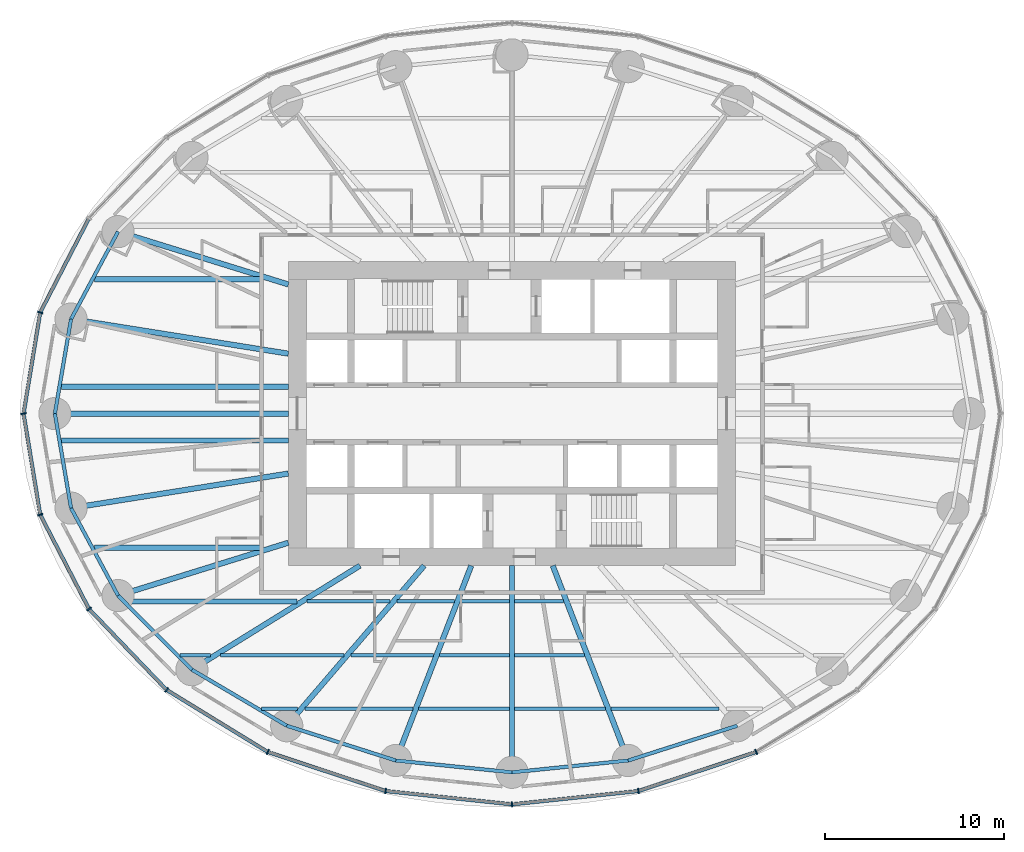
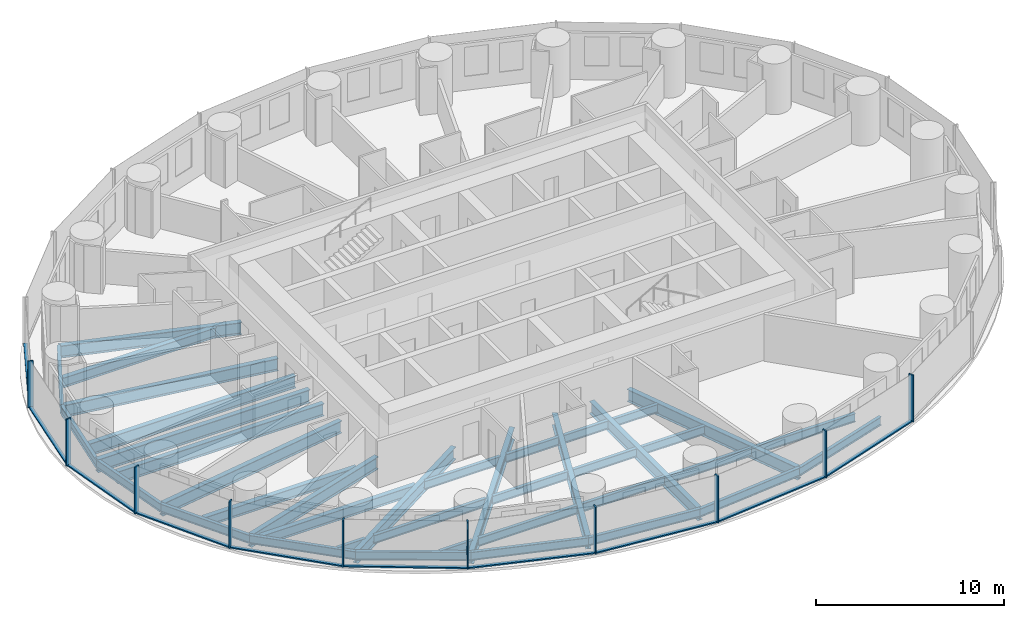
# One storey, part 2 of 13: 39 beams, 20 members, 3 elements without a shape of their own.
"""IFC4 building model written with IfcOpenShell, lengths in metres."""

from ifc_helpers import new_model, si_unit, direction, frame, origin, origin_2d, place, context, subcontext, project, spatial, rectangle, i_section, extrude, material, material_profile, profile_set, type_object, element, aggregate, save


model = new_model("IFC4")

# Units and contexts
model_context = context("Model", 3, precision=1e-05, world=origin(), true_north=direction((0.0, 1.0)))
body_context = subcontext(model_context, "Body", "Model", "MODEL_VIEW")
ifc_project = project(units=[si_unit("LENGTHUNIT", "METRE"), si_unit("AREAUNIT", "SQUARE_METRE"), si_unit("VOLUMEUNIT", "CUBIC_METRE"), si_unit("PLANEANGLEUNIT", "RADIAN"), si_unit("MASSUNIT", "GRAM", prefix="KILO")], contexts=[model_context])

# Site, building, storey
site_placement = place(None, origin())
site = spatial("IfcSite", under=ifc_project, at=site_placement, CompositionType="ELEMENT")
building_placement = place(site_placement, origin())
building = spatial("IfcBuilding", under=site, at=building_placement, Name="Hankou Lantern Tower", CompositionType="ELEMENT")
storey_placement = place(building_placement, frame((0.0, 0.0, 42.60009765625)))
storey = spatial("IfcBuildingStorey", under=building, at=storey_placement, Name="L09", CompositionType="ELEMENT", Elevation=42.60009765625)

# Beams
ifc_material_1 = material(Name="Steel Q355B", Category="steel")
ifc_material_profile_1 = material_profile(ifc_material_1, i_section(OverallWidth=0.199951171875, OverallDepth=0.550048828125, WebThickness=0.010009765625, FlangeThickness=0.01611328125, FilletRadius=0.012939453125, at=origin_2d()), Name="HN550x200x10x16")
ifc_profile_set_1 = profile_set([ifc_material_profile_1], Name="Steel Q355B")
beam_type_1 = type_object("IfcBeamType", Name="EB6 RING BEAM HN550x200x10x16", PredefinedType="SPANDREL", material=ifc_profile_set_1)
beam_1_placement = place(storey_placement, frame((-22.01904296875, 10.170166015625, -0.455078125), z_axis=(-0.473609096023, -0.880735161194, 0.0), x_axis=(0.880735161194, -0.473609096023, 0.0)))
element("IfcBeam", 1, at=beam_1_placement, inside=storey, type_object=beam_type_1, Name="Ring beam R11-R12 L09", PredefinedType="SPANDREL", context=body_context, shape_type="SweptSolid", body=[
    extrude(i_section(OverallWidth=0.199951171875, OverallDepth=0.550048828125, WebThickness=0.010009765625, FlangeThickness=0.01611328125, FilletRadius=0.012939453125, at=origin_2d()), origin(), (0.0, 0.0, 1.0), 5.548828125),
])
for number, where, z_axis, x_axis, name in (
    (2, (-24.64697265625, 5.283203125, -0.455078125), (-0.168489691988, -0.985703415685, 0.0), (0.985703415685, -0.168489691988, 0.0), "Ring beam R12-R13 L09"),
    (3, (-25.550048828125, 0.0, -0.455078125), (0.168489691988, -0.985703415685, 0.0), (0.985703415685, 0.168489691988, 0.0), "Ring beam R13-R14 L09"),
):
    element("IfcBeam", number, at=place(storey_placement, frame(where, z_axis=z_axis, x_axis=x_axis)), inside=storey, type_object=beam_type_1, Name=name, PredefinedType="SPANDREL", context=body_context, shape_type="SweptSolid", body=[
        extrude(i_section(OverallWidth=0.199951171875, OverallDepth=0.550048828125, WebThickness=0.010009765625, FlangeThickness=0.01611328125, FilletRadius=0.012939453125, at=origin_2d()), origin(), (0.0, 0.0, 1.0), 5.35986328125),
    ])
beam_2_placement = place(storey_placement, frame((-24.64697265625, -5.283203125, -0.455078125), z_axis=(0.473609096023, -0.880735161194, 0.0), x_axis=(0.880735161194, 0.473609096023, 0.0)))
element("IfcBeam", 4, at=beam_2_placement, inside=storey, type_object=beam_type_1, Name="Ring beam R14-R15 L09", PredefinedType="SPANDREL", context=body_context, shape_type="SweptSolid", body=[
    extrude(i_section(OverallWidth=0.199951171875, OverallDepth=0.550048828125, WebThickness=0.010009765625, FlangeThickness=0.01611328125, FilletRadius=0.012939453125, at=origin_2d()), origin(), (0.0, 0.0, 1.0), 5.548828125),
])
beam_3_placement = place(storey_placement, frame((-22.01904296875, -10.170166015625, -0.455078125), z_axis=(0.705727798394, -0.708483079949, 0.0), x_axis=(0.708483079949, 0.705727798394, 0.0)))
element("IfcBeam", 5, at=beam_3_placement, inside=storey, type_object=beam_type_1, Name="Ring beam R15-R16 L09", PredefinedType="SPANDREL", context=body_context, shape_type="SweptSolid", body=[
    extrude(i_section(OverallWidth=0.199951171875, OverallDepth=0.550048828125, WebThickness=0.010009765625, FlangeThickness=0.01611328125, FilletRadius=0.012939453125, at=origin_2d()), origin(), (0.0, 0.0, 1.0), 5.84814453125),
])
beam_4_placement = place(storey_placement, frame((-17.891845703125, -14.3134765625, -0.455078125), z_axis=(0.860881533543, -0.508805449268, 0.0), x_axis=(0.508805449268, 0.860881533543, 0.0)))
element("IfcBeam", 6, at=beam_4_placement, inside=storey, type_object=beam_type_1, Name="Ring beam R16-R17 L09", PredefinedType="SPANDREL", context=body_context, shape_type="SweptSolid", body=[
    extrude(i_section(OverallWidth=0.199951171875, OverallDepth=0.550048828125, WebThickness=0.010009765625, FlangeThickness=0.01611328125, FilletRadius=0.012939453125, at=origin_2d()), origin(), (0.0, 0.0, 1.0), 6.15771484375),
])
beam_5_placement = place(storey_placement, frame((-12.5908203125, -17.446533203125, -0.455078125), z_axis=(0.952690479428, -0.303942182671, 0.0), x_axis=(0.303942182671, 0.952690479428, 0.0)))
element("IfcBeam", 7, at=beam_5_placement, inside=storey, type_object=beam_type_1, Name="Ring beam R17-R18 L09", PredefinedType="SPANDREL", context=body_context, shape_type="SweptSolid", body=[
    extrude(i_section(OverallWidth=0.199951171875, OverallDepth=0.550048828125, WebThickness=0.010009765625, FlangeThickness=0.01611328125, FilletRadius=0.012939453125, at=origin_2d()), origin(), (0.0, 0.0, 1.0), 6.398681640625),
])
for number, where, z_axis, x_axis, name in (
    (8, (-6.494873046875, -19.391357421875, -0.455078125), (0.994896616842, -0.100899562915, 0.0), (0.100899562915, 0.994896616842, 0.0), "Ring beam R18-R19 L09"),
    (9, (0.0, -20.050048828125, -0.455078125), (0.994896616842, 0.100899562915, 0.0), (-0.100899562915, 0.994896616842, 0.0), "Ring beam R19-R20 L09"),
):
    element("IfcBeam", number, at=place(storey_placement, frame(where, z_axis=z_axis, x_axis=x_axis)), inside=storey, type_object=beam_type_1, Name=name, PredefinedType="SPANDREL", context=body_context, shape_type="SweptSolid", body=[
        extrude(i_section(OverallWidth=0.199951171875, OverallDepth=0.550048828125, WebThickness=0.010009765625, FlangeThickness=0.01611328125, FilletRadius=0.012939453125, at=origin_2d()), origin(), (0.0, 0.0, 1.0), 6.528076171875),
    ])
beam_6_placement = place(storey_placement, frame((6.494873046875, -19.391357421875, -0.455078125), z_axis=(0.952690479428, 0.303942182671, 0.0), x_axis=(-0.303942182671, 0.952690479428, 0.0)))
element("IfcBeam", 10, at=beam_6_placement, inside=storey, type_object=beam_type_1, Name="Ring beam R20-R21 L09", PredefinedType="SPANDREL", context=body_context, shape_type="SweptSolid", body=[
    extrude(i_section(OverallWidth=0.199951171875, OverallDepth=0.550048828125, WebThickness=0.010009765625, FlangeThickness=0.01611328125, FilletRadius=0.012939453125, at=origin_2d()), origin(), (0.0, 0.0, 1.0), 6.398681640625),
])

# Curtain wall, member
ifc_material_2 = material(Name="Glass, dark grey tinted laminated", Category="glass")
curtain_wall_type = type_object("IfcCurtainWallType", Name="CWA OUTER SKIN LOW-RISE", PredefinedType="USERDEFINED", material=ifc_material_2)
curtain_wall_1_placement = place(storey_placement, origin())
curtain_wall_1 = element("IfcCurtainWall", 11, at=curtain_wall_1_placement, inside=storey, type_object=curtain_wall_type, Name="CWA L09 OS2", ObjectType="OUTER SKIN LOW-RISE", PredefinedType="USERDEFINED")
ifc_material_3 = material(Name="Aluminium, black anodised", Category="aluminium")
ifc_material_profile_2 = material_profile(ifc_material_3, rectangle(XDim=0.080078125, YDim=0.300048828125, at=origin_2d()), Name="MU1 80X300")
ifc_profile_set_2 = profile_set([ifc_material_profile_2], Name="Aluminium, black anodised")
member_type_1 = type_object("IfcMemberType", Name="MU1 OUTER SKIN MULLION 80X300", PredefinedType="MULLION", material=ifc_profile_set_2)
member_1_placement = place(storey_placement, frame((-26.369873046875, 5.652587890625, 0.0), z_axis=(0.0, 0.0, 1.0), x_axis=(-0.317595577365, -0.94822626479, 0.0)))
member_1 = element("IfcMember", 12, at=member_1_placement, type_object=member_type_1, Name="CWA mullion 6", PredefinedType="MULLION", context=body_context, shape_type="SweptSolid", body=[
    extrude(rectangle(XDim=0.080078125, YDim=0.300048828125, at=origin_2d()), origin(), (0.0, 0.0, 1.0), 3.0498046875),
])

# Curtain wall, members
curtain_wall_2_placement = place(storey_placement, origin())
curtain_wall_2 = element("IfcCurtainWall", 13, at=curtain_wall_2_placement, inside=storey, type_object=curtain_wall_type, Name="CWA L09 OS3", ObjectType="OUTER SKIN LOW-RISE", PredefinedType="USERDEFINED")
member_2_placement = place(storey_placement, frame((-27.300048828125, 0.0, 0.0), z_axis=(0.0, 0.0, 1.0), x_axis=(0.162381515188, -0.986728049427, 0.0)))
member_2 = element("IfcMember", 14, at=member_2_placement, type_object=member_type_1, Name="CWA mullion 1", PredefinedType="MULLION", context=body_context, shape_type="SweptSolid", body=[
    extrude(rectangle(XDim=0.080078125, YDim=0.300048828125, at=origin_2d()), origin(), (0.0, 0.0, 1.0), 3.0498046875),
])
member_3_placement = place(storey_placement, frame((-26.369873046875, -5.652587890625, 0.0), z_axis=(0.0, 0.0, 1.0), x_axis=(0.317595577365, -0.94822626479, 0.0)))
member_3 = element("IfcMember", 15, at=member_3_placement, type_object=member_type_1, Name="CWA mullion 2", PredefinedType="MULLION", context=body_context, shape_type="SweptSolid", body=[
    extrude(rectangle(XDim=0.080078125, YDim=0.300048828125, at=origin_2d()), origin(), (0.0, 0.0, 1.0), 3.0498046875),
])
member_4_placement = place(storey_placement, frame((-23.642578125, -10.919921875, 0.0), z_axis=(0.0, 0.0, 1.0), x_axis=(0.585205735974, -0.810884854084, 0.0)))
member_4 = element("IfcMember", 16, at=member_4_placement, type_object=member_type_1, Name="CWA mullion 3", PredefinedType="MULLION", context=body_context, shape_type="SweptSolid", body=[
    extrude(rectangle(XDim=0.080078125, YDim=0.300048828125, at=origin_2d()), origin(), (0.0, 0.0, 1.0), 3.0498046875),
])
member_5_placement = place(storey_placement, frame((-19.303955078125, -15.443115234375, 0.0), z_axis=(0.0, 0.0, 1.0), x_axis=(0.780868809444, -0.624695047553, 0.0)))
member_5 = element("IfcMember", 17, at=member_5_placement, type_object=member_type_1, Name="CWA mullion 4", PredefinedType="MULLION", context=body_context, shape_type="SweptSolid", body=[
    extrude(rectangle(XDim=0.080078125, YDim=0.300048828125, at=origin_2d()), origin(), (0.0, 0.0, 1.0), 3.0498046875),
])
member_6_placement = place(storey_placement, frame((-13.64990234375, -18.9140625, 0.0), z_axis=(0.0, 0.0, 1.0), x_axis=(0.907841299004, -0.419313934686, 0.0)))
member_6 = element("IfcMember", 18, at=member_6_placement, type_object=member_type_1, Name="CWA mullion 5", PredefinedType="MULLION", context=body_context, shape_type="SweptSolid", body=[
    extrude(rectangle(XDim=0.080078125, YDim=0.300048828125, at=origin_2d()), origin(), (0.0, 0.0, 1.0), 3.0498046875),
])
member_7_placement = place(storey_placement, frame((-7.065673828125, -21.095703125, 0.0), z_axis=(0.0, 0.0, 1.0), x_axis=(0.977787659625, -0.209597931016, 0.0)))
member_7 = element("IfcMember", 19, at=member_7_placement, type_object=member_type_1, Name="CWA mullion 6", PredefinedType="MULLION", context=body_context, shape_type="SweptSolid", body=[
    extrude(rectangle(XDim=0.080078125, YDim=0.300048828125, at=origin_2d()), origin(), (0.0, 0.0, 1.0), 3.0498046875),
])

curtain_wall_3_placement = place(storey_placement, origin())
curtain_wall_3 = element("IfcCurtainWall", 20, at=curtain_wall_3_placement, inside=storey, type_object=curtain_wall_type, Name="CWA L09 OS4", ObjectType="OUTER SKIN LOW-RISE", PredefinedType="USERDEFINED")
member_8_placement = place(storey_placement, frame((0.0, -21.840087890625, 0.0), z_axis=(0.0, 0.0, 1.0), x_axis=(0.994499359107, 0.104742659579, 0.0)))
member_8 = element("IfcMember", 21, at=member_8_placement, type_object=member_type_1, Name="CWA mullion 1", PredefinedType="MULLION", context=body_context, shape_type="SweptSolid", body=[
    extrude(rectangle(XDim=0.080078125, YDim=0.300048828125, at=origin_2d()), origin(), (0.0, 0.0, 1.0), 3.0498046875),
])
member_9_placement = place(storey_placement, frame((7.065673828125, -21.095703125, 0.0), z_axis=(0.0, 0.0, 1.0), x_axis=(0.977787659625, 0.209597931016, 0.0)))
member_9 = element("IfcMember", 22, at=member_9_placement, type_object=member_type_1, Name="CWA mullion 2", PredefinedType="MULLION", context=body_context, shape_type="SweptSolid", body=[
    extrude(rectangle(XDim=0.080078125, YDim=0.300048828125, at=origin_2d()), origin(), (0.0, 0.0, 1.0), 3.0498046875),
])
member_10_placement = place(storey_placement, frame((13.64990234375, -18.9140625, 0.0), z_axis=(0.0, 0.0, 1.0), x_axis=(0.907841299004, 0.419313934686, 0.0)))
member_10 = element("IfcMember", 23, at=member_10_placement, type_object=member_type_1, Name="CWA mullion 3", PredefinedType="MULLION", context=body_context, shape_type="SweptSolid", body=[
    extrude(rectangle(XDim=0.080078125, YDim=0.300048828125, at=origin_2d()), origin(), (0.0, 0.0, 1.0), 3.0498046875),
])

# Beams
ifc_material_4 = material(Name="Steel Q355B", Category="steel")
ifc_material_profile_3 = material_profile(ifc_material_4, i_section(OverallWidth=0.300048828125, OverallDepth=0.800048828125, WebThickness=0.013916015625, FlangeThickness=0.02587890625, FilletRadius=0.01806640625, at=origin_2d()), Name="HN800x300x14x26")
ifc_profile_set_3 = profile_set([ifc_material_profile_3], Name="Steel Q355B")
beam_type_2 = type_object("IfcBeamType", Name="RB11 RADIAL BEAM HN800x300x14x26", PredefinedType="BEAM", material=ifc_profile_set_3)
beam_7_placement = place(storey_placement, frame((-12.5, 7.216796875, -0.580078125), z_axis=(-0.955087327755, 0.29632447817, 0.0), x_axis=(-0.29632447817, -0.955087327755, 0.0)))
element("IfcBeam", 24, at=beam_7_placement, inside=storey, type_object=beam_type_2, Name="Radial beam R11 L09", PredefinedType="BEAM", context=body_context, shape_type="SweptSolid", body=[
    extrude(i_section(OverallWidth=0.300048828125, OverallDepth=0.800048828125, WebThickness=0.013916015625, FlangeThickness=0.02587890625, FilletRadius=0.01806640625, at=origin_2d()), origin(), (0.0, 0.0, 1.0), 9.966552734375),
])
for number, where, z_axis, x_axis, name in (
    (25, (-12.5, 3.349365234375, -0.580078125), (-0.987563081343, 0.157223281893, 0.0), (-0.157223281893, -0.987563081343, 0.0), "Radial beam R12 L09"),
    (26, (-12.5, -3.349365234375, -0.580078125), (-0.987563081343, -0.157223281893, 0.0), (0.157223281893, -0.987563081343, 0.0), "Radial beam R14 L09"),
):
    element("IfcBeam", number, at=place(storey_placement, frame(where, z_axis=z_axis, x_axis=x_axis)), inside=storey, type_object=beam_type_2, Name=name, PredefinedType="BEAM", context=body_context, shape_type="SweptSolid", body=[
        extrude(i_section(OverallWidth=0.300048828125, OverallDepth=0.800048828125, WebThickness=0.013916015625, FlangeThickness=0.02587890625, FilletRadius=0.01806640625, at=origin_2d()), origin(), (0.0, 0.0, 1.0), 12.300048828125),
    ])
beam_8_placement = place(storey_placement, frame((-12.5, -7.216796875, -0.580078125), z_axis=(-0.955087327755, -0.29632447817, 0.0), x_axis=(0.29632447817, -0.955087327755, 0.0)))
element("IfcBeam", 27, at=beam_8_placement, inside=storey, type_object=beam_type_2, Name="Radial beam R15 L09", PredefinedType="BEAM", context=body_context, shape_type="SweptSolid", body=[
    extrude(i_section(OverallWidth=0.300048828125, OverallDepth=0.800048828125, WebThickness=0.013916015625, FlangeThickness=0.02587890625, FilletRadius=0.01806640625, at=origin_2d()), origin(), (0.0, 0.0, 1.0), 9.966552734375),
])
beam_9_placement = place(storey_placement, frame((-8.5, -8.5, -0.580078125), z_axis=(-0.850286343288, -0.526320372414, 0.0), x_axis=(0.526320372414, -0.850286343288, 0.0)))
element("IfcBeam", 28, at=beam_9_placement, inside=storey, type_object=beam_type_2, Name="Radial beam R16 L09", PredefinedType="BEAM", context=body_context, shape_type="SweptSolid", body=[
    extrude(i_section(OverallWidth=0.300048828125, OverallDepth=0.800048828125, WebThickness=0.013916015625, FlangeThickness=0.02587890625, FilletRadius=0.01806640625, at=origin_2d()), origin(), (0.0, 0.0, 1.0), 11.04541015625),
])
beam_10_placement = place(storey_placement, frame((-4.907470703125, -8.5, -0.580078125), z_axis=(-0.651519061225, -0.758632264579, 0.0), x_axis=(0.758632264579, -0.651519061225, 0.0)))
element("IfcBeam", 29, at=beam_10_placement, inside=storey, type_object=beam_type_2, Name="Radial beam R17 L09", PredefinedType="BEAM", context=body_context, shape_type="SweptSolid", body=[
    extrude(i_section(OverallWidth=0.300048828125, OverallDepth=0.800048828125, WebThickness=0.013916015625, FlangeThickness=0.02587890625, FilletRadius=0.01806640625, at=origin_2d()), origin(), (0.0, 0.0, 1.0), 11.79296875),
])
beam_11_placement = place(storey_placement, frame((-2.277587890625, -8.5, -0.580078125), z_axis=(-0.361089103374, -0.932531318201, 0.0), x_axis=(0.932531318201, -0.361089103374, 0.0)))
element("IfcBeam", 30, at=beam_11_placement, inside=storey, type_object=beam_type_2, Name="Radial beam R18 L09", PredefinedType="BEAM", context=body_context, shape_type="SweptSolid", body=[
    extrude(i_section(OverallWidth=0.300048828125, OverallDepth=0.800048828125, WebThickness=0.013916015625, FlangeThickness=0.02587890625, FilletRadius=0.01806640625, at=origin_2d()), origin(), (0.0, 0.0, 1.0), 11.679443359375),
])
beam_12_placement = place(storey_placement, frame((0.0, -8.5, -0.580078125), z_axis=(0.0, -1.0, 0.0), x_axis=(1.0, 0.0, 0.0)))
element("IfcBeam", 31, at=beam_12_placement, inside=storey, type_object=beam_type_2, Name="Radial beam R19 L09", PredefinedType="BEAM", context=body_context, shape_type="SweptSolid", body=[
    extrude(i_section(OverallWidth=0.300048828125, OverallDepth=0.800048828125, WebThickness=0.013916015625, FlangeThickness=0.02587890625, FilletRadius=0.01806640625, at=origin_2d()), origin(), (0.0, 0.0, 1.0), 11.550048828125),
])
beam_13_placement = place(storey_placement, frame((2.277587890625, -8.5, -0.580078125), z_axis=(0.361089103374, -0.932531318201, 0.0), x_axis=(0.932531318201, 0.361089103374, 0.0)))
element("IfcBeam", 32, at=beam_13_placement, inside=storey, type_object=beam_type_2, Name="Radial beam R20 L09", PredefinedType="BEAM", context=body_context, shape_type="SweptSolid", body=[
    extrude(i_section(OverallWidth=0.300048828125, OverallDepth=0.800048828125, WebThickness=0.013916015625, FlangeThickness=0.02587890625, FilletRadius=0.01806640625, at=origin_2d()), origin(), (0.0, 0.0, 1.0), 11.679443359375),
])
ifc_material_5 = material(Name="Steel Q355B", Category="steel")
ifc_material_profile_4 = material_profile(ifc_material_5, i_section(OverallWidth=0.300048828125, OverallDepth=0.85009765625, WebThickness=0.01611328125, FlangeThickness=0.027099609375, FilletRadius=0.01806640625, at=origin_2d()), Name="HN850x300x16x27")
ifc_profile_set_4 = profile_set([ifc_material_profile_4], Name="Steel Q355B")
beam_type_3 = type_object("IfcBeamType", Name="RB12 RADIAL BEAM HN850x300x16x27", PredefinedType="BEAM", material=ifc_profile_set_4)
beam_14_placement = place(storey_placement, frame((-12.5, 0.0, -0.60498046875), z_axis=(-1.0, 0.0, 0.0), x_axis=(0.0, -1.0, 0.0)))
element("IfcBeam", 33, at=beam_14_placement, inside=storey, type_object=beam_type_3, Name="Radial beam R13 L09", PredefinedType="BEAM", context=body_context, shape_type="SweptSolid", body=[
    extrude(i_section(OverallWidth=0.300048828125, OverallDepth=0.85009765625, WebThickness=0.01611328125, FlangeThickness=0.027099609375, FilletRadius=0.01806640625, at=origin_2d()), origin(), (0.0, 0.0, 1.0), 13.050048828125),
])
ifc_material_6 = material(Name="Steel Q355B", Category="steel")
ifc_material_profile_5 = material_profile(ifc_material_6, i_section(OverallWidth=0.300048828125, OverallDepth=0.800048828125, WebThickness=0.013916015625, FlangeThickness=0.02587890625, FilletRadius=0.01806640625, at=origin_2d()), Name="HN800x300x14x26")
ifc_profile_set_5 = profile_set([ifc_material_profile_5], Name="Steel Q355B")
beam_type_4 = type_object("IfcBeamType", Name="SB11 SECONDARY BEAM HN800x300x14x26", PredefinedType="JOIST", material=ifc_profile_set_5)
for number, where, z_axis, x_axis, name in (
    (34, (-25.192138671875, -1.5, -0.580078125), (1.0, 0.0, 0.0), (0.0, 1.0, 0.0), "Floor joist J029 L09"),
    (35, (-25.192138671875, 1.5, -0.580078125), (1.0, 0.0, 0.0), (0.0, 1.0, 0.0), "Floor joist J031 L09"),
):
    element("IfcBeam", number, at=place(storey_placement, frame(where, z_axis=z_axis, x_axis=x_axis)), inside=storey, type_object=beam_type_4, Name=name, PredefinedType="JOIST", context=body_context, shape_type="SweptSolid", body=[
        extrude(i_section(OverallWidth=0.300048828125, OverallDepth=0.800048828125, WebThickness=0.013916015625, FlangeThickness=0.02587890625, FilletRadius=0.01806640625, at=origin_2d()), origin(), (0.0, 0.0, 1.0), 12.692138671875),
    ])
ifc_material_7 = material(Name="Steel Q355B", Category="steel")
ifc_material_profile_6 = material_profile(ifc_material_7, i_section(OverallWidth=0.199951171875, OverallDepth=0.550048828125, WebThickness=0.010009765625, FlangeThickness=0.01611328125, FilletRadius=0.012939453125, at=origin_2d()), Name="HN550x200x10x16")
ifc_profile_set_6 = profile_set([ifc_material_profile_6], Name="Steel Q355B")
beam_type_5 = type_object("IfcBeamType", Name="SB6 SECONDARY BEAM HN550x200x10x16", PredefinedType="JOIST", material=ifc_profile_set_6)
beam_15_placement = place(storey_placement, frame((-13.99560546875, -16.5, -0.455078125), z_axis=(1.0, 0.0, 0.0), x_axis=(0.0, 1.0, 0.0)))
element("IfcBeam", 36, at=beam_15_placement, inside=storey, type_object=beam_type_5, Name="Floor joist J001 L09", PredefinedType="JOIST", context=body_context, shape_type="SweptSolid", body=[
    extrude(i_section(OverallWidth=0.199951171875, OverallDepth=0.550048828125, WebThickness=0.010009765625, FlangeThickness=0.01611328125, FilletRadius=0.012939453125, at=origin_2d()), origin(), (0.0, 0.0, 1.0), 2.019775390625),
])
beam_16_placement = place(storey_placement, frame((-11.580322265625, -16.5, -0.455078125), z_axis=(1.0, 0.0, 0.0), x_axis=(0.0, 1.0, 0.0)))
element("IfcBeam", 37, at=beam_16_placement, inside=storey, type_object=beam_type_5, Name="Floor joist J002 L09", PredefinedType="JOIST", context=body_context, shape_type="SweptSolid", body=[
    extrude(i_section(OverallWidth=0.199951171875, OverallDepth=0.550048828125, WebThickness=0.010009765625, FlangeThickness=0.01611328125, FilletRadius=0.012939453125, at=origin_2d()), origin(), (0.0, 0.0, 1.0), 6.044189453125),
])
for number, where, z_axis, x_axis, name in (
    (38, (-5.21435546875, -16.5, -0.455078125), (1.0, 0.0, 0.0), (0.0, 1.0, 0.0), "Floor joist J003 L09"),
    (39, (0.14990234375, -16.5, -0.455078125), (1.0, 0.0, 0.0), (0.0, 1.0, 0.0), "Floor joist J004 L09"),
):
    element("IfcBeam", number, at=place(storey_placement, frame(where, z_axis=z_axis, x_axis=x_axis)), inside=storey, type_object=beam_type_5, Name=name, PredefinedType="JOIST", context=body_context, shape_type="SweptSolid", body=[
        extrude(i_section(OverallWidth=0.199951171875, OverallDepth=0.550048828125, WebThickness=0.010009765625, FlangeThickness=0.01611328125, FilletRadius=0.012939453125, at=origin_2d()), origin(), (0.0, 0.0, 1.0), 5.064453125),
    ])
beam_17_placement = place(storey_placement, frame((5.5361328125, -16.5, -0.455078125), z_axis=(1.0, 0.0, 0.0), x_axis=(0.0, 1.0, 0.0)))
element("IfcBeam", 40, at=beam_17_placement, inside=storey, type_object=beam_type_5, Name="Floor joist J005 L09", PredefinedType="JOIST", context=body_context, shape_type="SweptSolid", body=[
    extrude(i_section(OverallWidth=0.199951171875, OverallDepth=0.550048828125, WebThickness=0.010009765625, FlangeThickness=0.01611328125, FilletRadius=0.012939453125, at=origin_2d()), origin(), (0.0, 0.0, 1.0), 6.044189453125),
])
beam_18_placement = place(storey_placement, frame((-18.560791015625, -13.5, -0.455078125), z_axis=(1.0, 0.0, 0.0), x_axis=(0.0, 1.0, 0.0)))
element("IfcBeam", 41, at=beam_18_placement, inside=storey, type_object=beam_type_5, Name="Floor joist J007 L09", PredefinedType="JOIST", context=body_context, shape_type="SweptSolid", body=[
    extrude(i_section(OverallWidth=0.199951171875, OverallDepth=0.550048828125, WebThickness=0.010009765625, FlangeThickness=0.01611328125, FilletRadius=0.012939453125, at=origin_2d()), origin(), (0.0, 0.0, 1.0), 1.697998046875),
])
beam_19_placement = place(storey_placement, frame((-16.292724609375, -13.5, -0.455078125), z_axis=(1.0, 0.0, 0.0), x_axis=(0.0, 1.0, 0.0)))
element("IfcBeam", 42, at=beam_19_placement, inside=storey, type_object=beam_type_5, Name="Floor joist J008 L09", PredefinedType="JOIST", context=body_context, shape_type="SweptSolid", body=[
    extrude(i_section(OverallWidth=0.199951171875, OverallDepth=0.550048828125, WebThickness=0.010009765625, FlangeThickness=0.01611328125, FilletRadius=0.012939453125, at=origin_2d()), origin(), (0.0, 0.0, 1.0), 6.893310546875),
])
beam_20_placement = place(storey_placement, frame((-9.00390625, -13.5, -0.455078125), z_axis=(1.0, 0.0, 0.0), x_axis=(0.0, 1.0, 0.0)))
element("IfcBeam", 43, at=beam_20_placement, inside=storey, type_object=beam_type_5, Name="Floor joist J009 L09", PredefinedType="JOIST", context=body_context, shape_type="SweptSolid", body=[
    extrude(i_section(OverallWidth=0.199951171875, OverallDepth=0.550048828125, WebThickness=0.010009765625, FlangeThickness=0.01611328125, FilletRadius=0.012939453125, at=origin_2d()), origin(), (0.0, 0.0, 1.0), 4.62939453125),
])
for number, where, z_axis, x_axis, name in (
    (44, (-4.052734375, -13.5, -0.455078125), (1.0, 0.0, 0.0), (0.0, 1.0, 0.0), "Floor joist J010 L09"),
    (45, (0.14990234375, -13.5, -0.455078125), (1.0, 0.0, 0.0), (0.0, 1.0, 0.0), "Floor joist J011 L09"),
):
    element("IfcBeam", number, at=place(storey_placement, frame(where, z_axis=z_axis, x_axis=x_axis)), inside=storey, type_object=beam_type_5, Name=name, PredefinedType="JOIST", context=body_context, shape_type="SweptSolid", body=[
        extrude(i_section(OverallWidth=0.199951171875, OverallDepth=0.550048828125, WebThickness=0.010009765625, FlangeThickness=0.01611328125, FilletRadius=0.012939453125, at=origin_2d()), origin(), (0.0, 0.0, 1.0), 3.90283203125),
    ])
beam_21_placement = place(storey_placement, frame((-11.446044921875, -10.5, -0.455078125), z_axis=(1.0, 0.0, 0.0), x_axis=(0.0, 1.0, 0.0)))
element("IfcBeam", 46, at=beam_21_placement, inside=storey, type_object=beam_type_5, Name="Floor joist J016 L09", PredefinedType="JOIST", context=body_context, shape_type="SweptSolid", body=[
    extrude(i_section(OverallWidth=0.199951171875, OverallDepth=0.550048828125, WebThickness=0.010009765625, FlangeThickness=0.01611328125, FilletRadius=0.012939453125, at=origin_2d()), origin(), (0.0, 0.0, 1.0), 4.623291015625),
])
beam_22_placement = place(storey_placement, frame((-6.427490234375, -10.5, -0.455078125), z_axis=(1.0, 0.0, 0.0), x_axis=(0.0, 1.0, 0.0)))
element("IfcBeam", 47, at=beam_22_placement, inside=storey, type_object=beam_type_5, Name="Floor joist J017 L09", PredefinedType="JOIST", context=body_context, shape_type="SweptSolid", body=[
    extrude(i_section(OverallWidth=0.199951171875, OverallDepth=0.550048828125, WebThickness=0.010009765625, FlangeThickness=0.01611328125, FilletRadius=0.012939453125, at=origin_2d()), origin(), (0.0, 0.0, 1.0), 3.214599609375),
])
for number, where, z_axis, x_axis, name in (
    (48, (-2.89111328125, -10.5, -0.455078125), (1.0, 0.0, 0.0), (0.0, 1.0, 0.0), "Floor joist J018 L09"),
    (49, (0.14990234375, -10.5, -0.455078125), (1.0, 0.0, 0.0), (0.0, 1.0, 0.0), "Floor joist J019 L09"),
):
    element("IfcBeam", number, at=place(storey_placement, frame(where, z_axis=z_axis, x_axis=x_axis)), inside=storey, type_object=beam_type_5, Name=name, PredefinedType="JOIST", context=body_context, shape_type="SweptSolid", body=[
        extrude(i_section(OverallWidth=0.199951171875, OverallDepth=0.550048828125, WebThickness=0.010009765625, FlangeThickness=0.01611328125, FilletRadius=0.012939453125, at=origin_2d()), origin(), (0.0, 0.0, 1.0), 2.7412109375),
    ])
ifc_material_8 = material(Name="Steel Q355B", Category="steel")
ifc_material_profile_7 = material_profile(ifc_material_8, i_section(OverallWidth=0.300048828125, OverallDepth=0.64990234375, WebThickness=0.010986328125, FlangeThickness=0.01708984375, FilletRadius=0.01806640625, at=origin_2d()), Name="HN650x300x11x17")
ifc_profile_set_7 = profile_set([ifc_material_profile_7], Name="Steel Q355B")
beam_type_6 = type_object("IfcBeamType", Name="SB8 SECONDARY BEAM HN650x300x11x17", PredefinedType="JOIST", material=ifc_profile_set_7)
beam_23_placement = place(storey_placement, frame((-21.54931640625, -10.5, -0.505126953125), z_axis=(1.0, 0.0, 0.0), x_axis=(0.0, 1.0, 0.0)))
element("IfcBeam", 50, at=beam_23_placement, inside=storey, type_object=beam_type_6, Name="Floor joist J015 L09", PredefinedType="JOIST", context=body_context, shape_type="SweptSolid", body=[
    extrude(i_section(OverallWidth=0.300048828125, OverallDepth=0.64990234375, WebThickness=0.010986328125, FlangeThickness=0.01708984375, FilletRadius=0.01806640625, at=origin_2d()), origin(), (0.0, 0.0, 1.0), 9.533203125),
])
for number, where, z_axis, x_axis, name in (
    (51, (-23.341552734375, -7.5, -0.505126953125), (1.0, 0.0, 0.0), (0.0, 1.0, 0.0), "Floor joist J023 L09"),
    (52, (-23.341552734375, 7.5, -0.505126953125), (1.0, 0.0, 0.0), (0.0, 1.0, 0.0), "Floor joist J037 L09"),
):
    element("IfcBeam", number, at=place(storey_placement, frame(where, z_axis=z_axis, x_axis=x_axis)), inside=storey, type_object=beam_type_6, Name=name, PredefinedType="JOIST", context=body_context, shape_type="SweptSolid", body=[
        extrude(i_section(OverallWidth=0.300048828125, OverallDepth=0.64990234375, WebThickness=0.010986328125, FlangeThickness=0.01708984375, FilletRadius=0.01806640625, at=origin_2d()), origin(), (0.0, 0.0, 1.0), 9.4228515625),
    ])

# Member
ifc_material_9 = material(Name="Aluminium, black anodised", Category="aluminium")
ifc_material_profile_8 = material_profile(ifc_material_9, rectangle(XDim=0.199951171875, YDim=0.080078125, at=origin_2d()), Name="TR1 200X80")
ifc_profile_set_8 = profile_set([ifc_material_profile_8], Name="Aluminium, black anodised")
member_type_2 = type_object("IfcMemberType", Name="TR1 OUTER SKIN TRANSOM 200X80", PredefinedType="USERDEFINED", material=ifc_profile_set_8)
member_11_placement = place(storey_placement, frame((-23.660888671875, 10.884521484375, 0.039794921875), z_axis=(-0.459786096495, -0.888029698529, 0.0), x_axis=(0.888029698529, -0.459786096495, 0.0)))
member_11 = element("IfcMember", 53, at=member_11_placement, type_object=member_type_2, Name="CWA transom 5", ObjectType="TRANSOM", PredefinedType="USERDEFINED", context=body_context, shape_type="SweptSolid", body=[
    extrude(rectangle(XDim=0.199951171875, YDim=0.080078125, at=origin_2d()), origin(), (0.0, 0.0, 1.0), 5.8515625),
])

member_12_placement = place(storey_placement, frame((-26.376220703125, 5.613037109375, 0.039794921875), z_axis=(-0.162387045529, -0.986727139307, 0.0), x_axis=(0.986727139307, -0.162387045529, 0.0)))
member_12 = element("IfcMember", 54, at=member_12_placement, type_object=member_type_2, Name="CWA transom 6", ObjectType="TRANSOM", PredefinedType="USERDEFINED", context=body_context, shape_type="SweptSolid", body=[
    extrude(rectangle(XDim=0.199951171875, YDim=0.080078125, at=origin_2d()), origin(), (0.0, 0.0, 1.0), 5.6484375),
])

aggregate(curtain_wall_1, [member_1, member_11, member_12])

member_13_placement = place(storey_placement, frame((-27.29345703125, -0.03955078125, 0.039794921875), z_axis=(0.162387045529, -0.986727139307, 0.0), x_axis=(0.986727139307, 0.162387045529, 0.0)))
member_13 = element("IfcMember", 55, at=member_13_placement, type_object=member_type_2, Name="CWA transom 1", ObjectType="TRANSOM", PredefinedType="USERDEFINED", context=body_context, shape_type="SweptSolid", body=[
    extrude(rectangle(XDim=0.199951171875, YDim=0.080078125, at=origin_2d()), origin(), (0.0, 0.0, 1.0), 5.6484375),
])

member_14_placement = place(storey_placement, frame((-26.351318359375, -5.688232421875, 0.039794921875), z_axis=(0.459786096495, -0.888029698529, 0.0), x_axis=(0.888029698529, 0.459786096495, 0.0)))
member_14 = element("IfcMember", 56, at=member_14_placement, type_object=member_type_2, Name="CWA transom 2", ObjectType="TRANSOM", PredefinedType="USERDEFINED", context=body_context, shape_type="SweptSolid", body=[
    extrude(rectangle(XDim=0.199951171875, YDim=0.080078125, at=origin_2d()), origin(), (0.0, 0.0, 1.0), 5.8515625),
])

member_15_placement = place(storey_placement, frame((-23.61474609375, -10.948974609375, 0.039794921875), z_axis=(0.692215537374, -0.721690827029, 0.0), x_axis=(0.721690827029, 0.692215537374, 0.0)))
member_15 = element("IfcMember", 57, at=member_15_placement, type_object=member_type_2, Name="CWA transom 3", ObjectType="TRANSOM", PredefinedType="USERDEFINED", context=body_context, shape_type="SweptSolid", body=[
    extrude(rectangle(XDim=0.199951171875, YDim=0.080078125, at=origin_2d()), origin(), (0.0, 0.0, 1.0), 6.187255859375),
])

member_16_placement = place(storey_placement, frame((-19.27001953125, -15.464111328125, 0.039794921875), z_axis=(0.85223969557, -0.523151508929, 0.0), x_axis=(0.523151508929, 0.85223969557, 0.0)))
member_16 = element("IfcMember", 58, at=member_16_placement, type_object=member_type_2, Name="CWA transom 4", ObjectType="TRANSOM", PredefinedType="USERDEFINED", context=body_context, shape_type="SweptSolid", body=[
    extrude(rectangle(XDim=0.199951171875, YDim=0.080078125, at=origin_2d()), origin(), (0.0, 0.0, 1.0), 6.554443359375),
])

member_17_placement = place(storey_placement, frame((-13.612060546875, -18.926513671875, 0.039794921875), z_axis=(0.949237318771, -0.314560825044, 0.0), x_axis=(0.314560825044, 0.949237318771, 0.0)))
member_17 = element("IfcMember", 59, at=member_17_placement, type_object=member_type_2, Name="CWA transom 5", ObjectType="TRANSOM", PredefinedType="USERDEFINED", context=body_context, shape_type="SweptSolid", body=[
    extrude(rectangle(XDim=0.199951171875, YDim=0.080078125, at=origin_2d()), origin(), (0.0, 0.0, 1.0), 6.8564453125),
])

member_18_placement = place(storey_placement, frame((-7.02587890625, -21.10009765625, 0.039794921875), z_axis=(0.994502215033, -0.104715539888, 0.0), x_axis=(0.104715539888, 0.994502215033, 0.0)))
member_18 = element("IfcMember", 60, at=member_18_placement, type_object=member_type_2, Name="CWA transom 6", ObjectType="TRANSOM", PredefinedType="USERDEFINED", context=body_context, shape_type="SweptSolid", body=[
    extrude(rectangle(XDim=0.199951171875, YDim=0.080078125, at=origin_2d()), origin(), (0.0, 0.0, 1.0), 7.024658203125),
])

aggregate(curtain_wall_2, [member_2, member_3, member_4, member_5, member_6, member_7, member_13, member_14, member_15, member_16, member_17, member_18])

member_19_placement = place(storey_placement, frame((0.039794921875, -21.835693359375, 0.039794921875), z_axis=(0.994502215033, 0.104715539888, 0.0), x_axis=(-0.104715539888, 0.994502215033, 0.0)))
member_19 = element("IfcMember", 61, at=member_19_placement, type_object=member_type_2, Name="CWA transom 1", ObjectType="TRANSOM", PredefinedType="USERDEFINED", context=body_context, shape_type="SweptSolid", body=[
    extrude(rectangle(XDim=0.199951171875, YDim=0.080078125, at=origin_2d()), origin(), (0.0, 0.0, 1.0), 7.024658203125),
])

member_20_placement = place(storey_placement, frame((7.103759765625, -21.083251953125, 0.039794921875), z_axis=(0.949237318771, 0.314560825044, 0.0), x_axis=(-0.314560825044, 0.949237318771, 0.0)))
member_20 = element("IfcMember", 62, at=member_20_placement, type_object=member_type_2, Name="CWA transom 2", ObjectType="TRANSOM", PredefinedType="USERDEFINED", context=body_context, shape_type="SweptSolid", body=[
    extrude(rectangle(XDim=0.199951171875, YDim=0.080078125, at=origin_2d()), origin(), (0.0, 0.0, 1.0), 6.8564453125),
])

aggregate(curtain_wall_3, [member_8, member_9, member_10, member_19, member_20])

save(model, "model.ifc")
